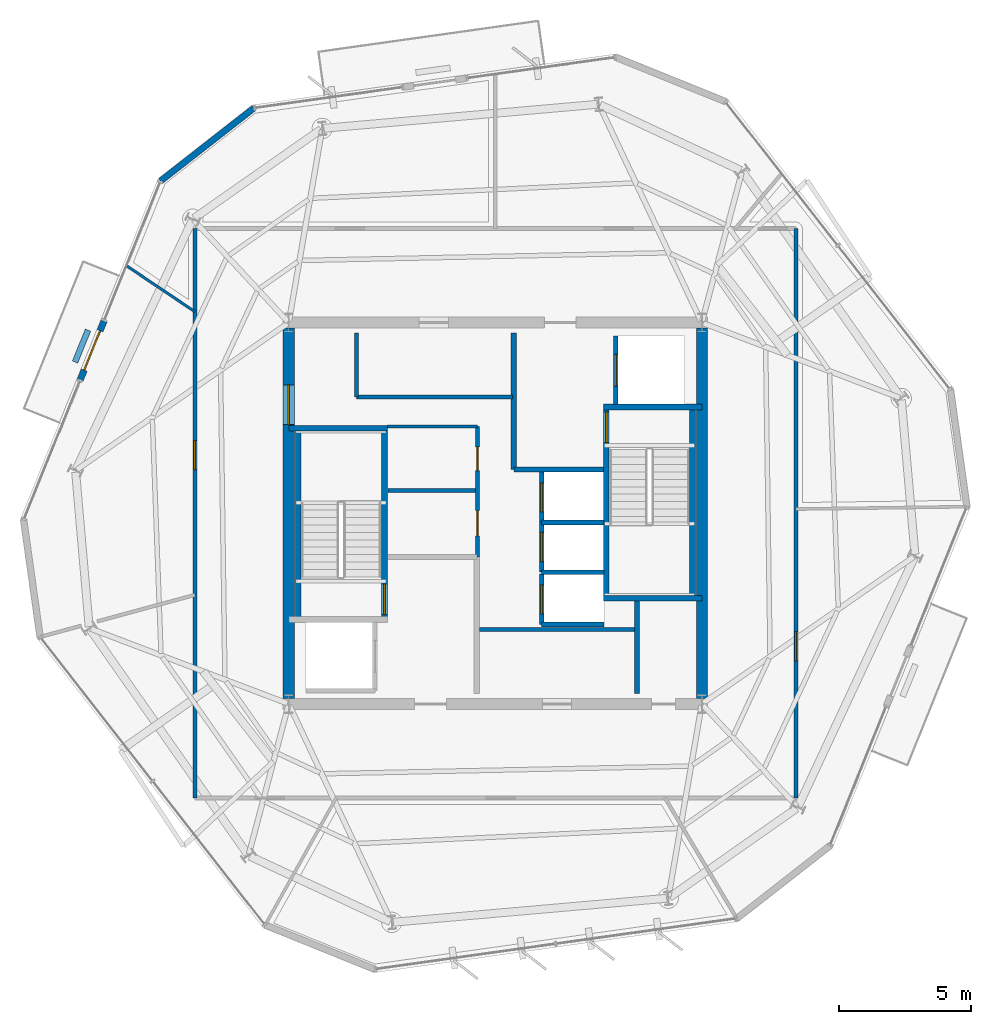
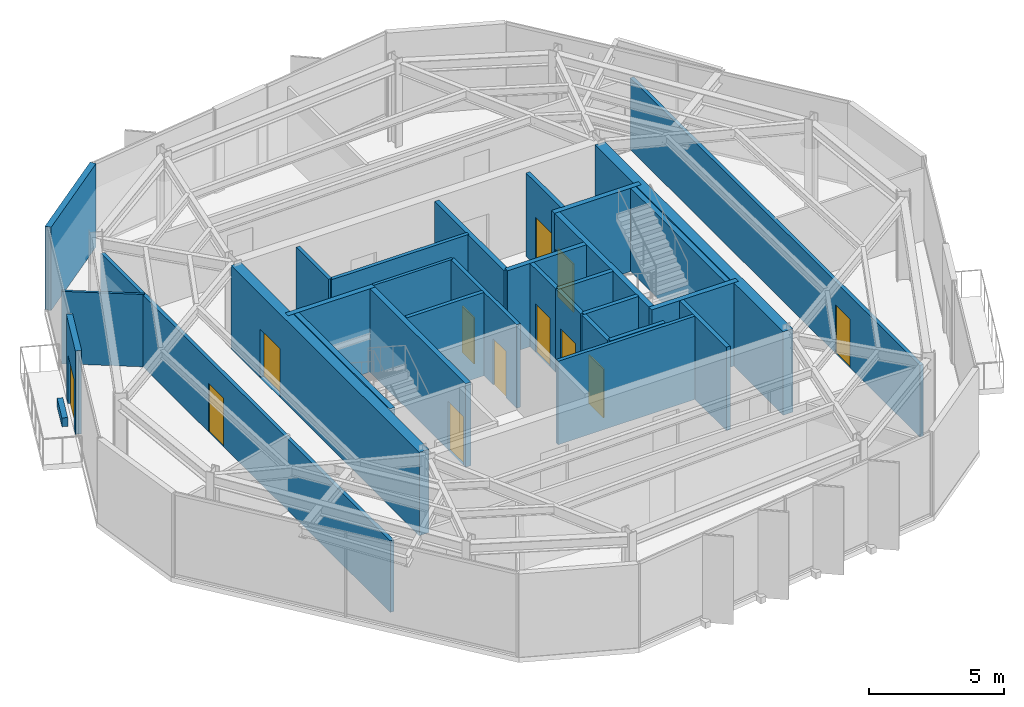
# One storey, part 7 of 11: 31 walls, 12 doors, 12 openings.
"""IFC4 building model written with IfcOpenShell, lengths in metres."""

from ifc_helpers import new_model, si_unit, direction, frame, frame_2d, origin, place, context, subcontext, project, spatial, rectangle, extrude, material, layer, layer_set, type_object, element, fill, save


model = new_model("IFC4")

# Units and contexts
model_context = context("Model", 3, precision=1e-05, world=origin(), true_north=direction((0.0, 1.0)))
body_context = subcontext(model_context, "Body", "Model", "MODEL_VIEW")
ifc_project = project(units=[si_unit("LENGTHUNIT", "METRE"), si_unit("AREAUNIT", "SQUARE_METRE"), si_unit("VOLUMEUNIT", "CUBIC_METRE"), si_unit("PLANEANGLEUNIT", "RADIAN"), si_unit("MASSUNIT", "GRAM", prefix="KILO")], contexts=[model_context])

# Site, building, storey
site_placement = place(None, origin())
site = spatial("IfcSite", under=ifc_project, at=site_placement, CompositionType="ELEMENT")
building_placement = place(site_placement, origin())
building = spatial("IfcBuilding", under=site, at=building_placement, Name="Kranzbogen Civic Tower", CompositionType="ELEMENT")
storey_placement = place(building_placement, frame((0.0, 0.0, 298.199951171875)))
storey = spatial("IfcBuildingStorey", under=building, at=storey_placement, Name="L72", CompositionType="ELEMENT", Elevation=298.199951171875)

# Walls
ifc_material_1 = material(Name="Double-Stud Acoustic Gypsum Partition")
ifc_layer_1 = layer(ifc_material_1, 0.14990234375, Name="Double-Stud Acoustic Gypsum Partition")
ifc_layer_set_1 = layer_set([ifc_layer_1], Name="Double-Stud Acoustic Gypsum Partition")
wall_type_1 = type_object("IfcWallType", Name="Acoustic Corridor and Clinical Partition 150 mm", PredefinedType="PARTITIONING", material=ifc_layer_set_1)
wall_1_placement = place(storey_placement, frame((24.39990234375, 20.610107421875, 0.0), z_axis=(0.0, 0.0, 1.0), x_axis=(1.0, 0.0, 0.0)))
element("IfcWall", 1, at=wall_1_placement, inside=storey, type_object=wall_type_1, Name="L72 records zone North wall", PredefinedType="PARTITIONING", context=body_context, shape_type="SweptSolid", body=[
    extrude(rectangle(XDim=5.900146484375, YDim=0.14990234375, at=frame_2d((2.9501953125, 0.0))), origin(), (0.0, 0.0, 1.0), 3.780029296875),
])
wall_2_placement = place(storey_placement, frame((19.75, 29.389892578125, 0.0), z_axis=(0.0, 0.0, 1.0), x_axis=(1.0, 0.0, 0.0)))
element("IfcWall", 2, at=wall_2_placement, inside=storey, type_object=wall_type_1, Name="L72 digital comms South wall", PredefinedType="PARTITIONING", context=body_context, shape_type="SweptSolid", body=[
    extrude(rectangle(XDim=5.89990234375, YDim=0.14990234375, at=frame_2d((2.949951171875, 0.0))), origin(), (0.0, 0.0, 1.0), 3.780029296875),
])
wall_3_placement = place(storey_placement, frame((19.75, 29.389892578125, 0.0), z_axis=(0.0, 0.0, 1.0), x_axis=(0.0, 1.0, 0.0)))
element("IfcWall", 3, at=wall_3_placement, inside=storey, type_object=wall_type_1, Name="L72 digital comms West wall", PredefinedType="PARTITIONING", context=body_context, shape_type="SweptSolid", body=[
    extrude(rectangle(XDim=2.41015625, YDim=0.14990234375, at=frame_2d((1.205078125, 0.0))), origin(), (0.0, 0.0, 1.0), 3.780029296875),
])

# Wall, opening, door
wall_4_placement = place(storey_placement, frame((36.35009765625, 35.75, 0.0), z_axis=(0.0, 0.0, 1.0), x_axis=(0.0, -1.0, 0.0)))
wall_4 = element("IfcWall", 4, at=wall_4_placement, inside=storey, type_object=wall_type_1, Name="L72 corridor partition 02", PredefinedType="PARTITIONING", context=body_context, shape_type="SweptSolid", body=[
    extrude(rectangle(XDim=21.5, YDim=0.14990234375, at=frame_2d((10.75, 0.0))), origin(), (0.0, 0.0, 1.0), 3.25),
])
opening_1_placement = place(wall_4_placement, frame((15.221923828125, 0.0, 0.0)))
opening_1 = element("IfcOpeningElement", 5, at=opening_1_placement, cuts=wall_4, Name="Opening D-COR60", PredefinedType="OPENING", context=body_context, shape_type="SweptSolid", body=[
    extrude(rectangle(XDim=1.10009765625, YDim=2.199951171875, at=frame_2d((0.550048828125, 1.10009765625))), frame((0.0, 0.0849609375, 0.0), z_axis=(0.0, -1.0, 0.0), x_axis=(1.0, 0.0, 0.0)), (0.0, 0.0, 1.0), 0.169921875),
])
ifc_material_2 = material(Name="Oak Timber and Fire Core", Category="wood")
door_type_1 = type_object("IfcDoorType", Name="Corridor Acoustic Fire Door 1100x2200", OperationType="NOTDEFINED", PredefinedType="DOOR", material=ifc_material_2)
door_1_placement = place(opening_1_placement, origin())
door_1 = element("IfcDoor", 6, at=door_1_placement, inside=storey, type_object=door_type_1, Name="L72 Protocol Entrance Reception door", OperationType="SINGLE_SWING_RIGHT", OverallHeight=2.199951171875, OverallWidth=1.10009765625, PredefinedType="DOOR", context=body_context, shape_type="SweptSolid", body=[
    extrude(rectangle(XDim=1.10009765625, YDim=2.199951171875, at=frame_2d((0.550048828125, 1.10009765625))), frame((0.0, 0.02490234375, 0.0), z_axis=(0.0, -1.0, 0.0), x_axis=(1.0, 0.0, 0.0)), (0.0, 0.0, 1.0), 0.050048828125),
])
fill(opening_1, door_1)

wall_5_placement = place(storey_placement, frame((13.64990234375, 14.25, 0.0), z_axis=(0.0, 0.0, 1.0), x_axis=(0.0, 1.0, 0.0)))
wall_5 = element("IfcWall", 7, at=wall_5_placement, inside=storey, type_object=wall_type_1, Name="L72 corridor partition 04", PredefinedType="PARTITIONING", context=body_context, shape_type="SweptSolid", body=[
    extrude(rectangle(XDim=21.5, YDim=0.14990234375, at=frame_2d((10.75, 0.0))), origin(), (0.0, 0.0, 1.0), 3.25),
])
opening_2_placement = place(wall_5_placement, frame((12.39697265625, 0.0, 0.0)))
opening_2 = element("IfcOpeningElement", 8, at=opening_2_placement, cuts=wall_5, Name="Opening D-COR60", PredefinedType="OPENING", context=body_context, shape_type="SweptSolid", body=[
    extrude(rectangle(XDim=1.10009765625, YDim=2.199951171875, at=frame_2d((0.550048828125, 1.10009765625))), frame((0.0, 0.0849609375, 0.0), z_axis=(0.0, -1.0, 0.0), x_axis=(1.0, 0.0, 0.0)), (0.0, 0.0, 1.0), 0.169921875),
])
door_2_placement = place(opening_2_placement, origin())
door_2 = element("IfcDoor", 9, at=door_2_placement, inside=storey, type_object=door_type_1, Name="L72 Civic Reference Library door", OperationType="SINGLE_SWING_RIGHT", OverallHeight=2.199951171875, OverallWidth=1.10009765625, PredefinedType="DOOR", context=body_context, shape_type="SweptSolid", body=[
    extrude(rectangle(XDim=1.10009765625, YDim=2.199951171875, at=frame_2d((0.550048828125, 1.10009765625))), frame((0.0, 0.02490234375, 0.0), z_axis=(0.0, -1.0, 0.0), x_axis=(1.0, 0.0, 0.0)), (0.0, 0.0, 1.0), 0.050048828125),
])
fill(opening_2, door_2)

# Walls
ifc_material_3 = material(Name="Insulated Metal-Stud Gypsum Partition")
ifc_layer_2 = layer(ifc_material_3, 0.125, Name="Insulated Metal-Stud Gypsum Partition")
ifc_layer_set_2 = layer_set([ifc_layer_2], Name="Insulated Metal-Stud Gypsum Partition")
wall_type_2 = type_object("IfcWallType", Name="Acoustic Inter-Room Partition 125 mm", PredefinedType="PARTITIONING", material=ifc_layer_set_2)
wall_6_placement = place(storey_placement, frame((20.919921875, 28.280029296875, 0.0), z_axis=(0.0, 0.0, 1.0), x_axis=(1.0, 0.0, 0.0)))
element("IfcWall", 10, at=wall_6_placement, inside=storey, type_object=wall_type_2, Name="L72 core auxiliary North wall", PredefinedType="PARTITIONING", context=body_context, shape_type="SweptSolid", body=[
    extrude(rectangle(XDim=3.405029296875, YDim=0.125, at=frame_2d((1.70263671875, 0.0))), origin(), (0.0, 0.0, 1.0), 3.780029296875),
])
ifc_material_4 = material(Name="Architectural Precast Terracotta Concrete C40/50", Category="masonry")
ifc_layer_3 = layer(ifc_material_4, 0.219970703125, Name="Architectural Precast Terracotta Concrete C40/50")
ifc_layer_set_3 = layer_set([ifc_layer_3], Name="Architectural Precast Terracotta Concrete C40/50")
wall_type_3 = type_object("IfcWallType", Name="Architectural Tree Planter Kerb Wall 220 mm", PredefinedType="USERDEFINED", material=ifc_layer_set_3)
wall_7_placement = place(storey_placement, frame((9.616943359375, 31.9169921875, 0.0), z_axis=(0.0, 0.0, 1.0), x_axis=(-0.375108300877, -0.926980993663, 0.0)))
element("IfcWall", 11, at=wall_7_placement, inside=storey, type_object=wall_type_3, Name="L72 landscaped tree balcony planter L72-TB2", ObjectType="PLANTER_WALL", PredefinedType="USERDEFINED", context=body_context, shape_type="SweptSolid", body=[
    extrude(rectangle(XDim=1.301025390625, YDim=0.219970703125, at=frame_2d((0.650390625, 0.0))), origin(), (0.0, 0.0, 1.0), 0.400146484375),
])

# Wall, opening, door
ifc_material_5 = material(Name="Concrete C45/55", Category="concrete")
ifc_layer_4 = layer(ifc_material_5, 0.419921875, Name="Concrete C45/55")
ifc_layer_set_4 = layer_set([ifc_layer_4], Name="Concrete C45/55")
wall_type_4 = type_object("IfcWallType", Name="Central Core Shear Wall 420 mm", PredefinedType="SHEAR", material=ifc_layer_set_4)
wall_8_placement = place(storey_placement, frame((17.199951171875, 31.989990234375, 0.0), z_axis=(0.0, 0.0, 1.0), x_axis=(0.0, -1.0, 0.0)))
wall_8 = element("IfcWall", 12, at=wall_8_placement, inside=storey, type_object=wall_type_4, Name="L72 central core West shear wall", PredefinedType="SHEAR", context=body_context, shape_type="SweptSolid", body=[
    extrude(rectangle(XDim=13.97998046875, YDim=0.419921875, at=frame_2d((6.989990234375, 0.0))), origin(), (0.0, 0.0, 1.0), 3.780029296875),
])
opening_3_placement = place(wall_8_placement, frame((2.139892578125, 0.0, 0.0)))
opening_3 = element("IfcOpeningElement", 13, at=opening_3_placement, cuts=wall_8, Name="Opening D-DBL15", PredefinedType="OPENING", context=body_context, shape_type="SweptSolid", body=[
    extrude(rectangle(XDim=1.5, YDim=2.199951171875, at=frame_2d((0.75, 1.10009765625))), frame((0.0, 0.219970703125, 0.0), z_axis=(0.0, -1.0, 0.0), x_axis=(1.0, 0.0, 0.0)), (0.0, 0.0, 1.0), 0.43994140625),
])
ifc_material_6 = material(Name="Anodised Bronze and Glass", Category="glass")
door_type_2 = type_object("IfcDoorType", Name="Civic Lobby Double Door 1500x2200", OperationType="DOUBLE_DOOR_SINGLE_SWING", PredefinedType="DOOR", material=ifc_material_6)
door_3_placement = place(opening_3_placement, origin())
door_3 = element("IfcDoor", 14, at=door_3_placement, inside=storey, type_object=door_type_2, Name="L72 Central Lift Lobby West concourse door", OperationType="DOUBLE_DOOR_SINGLE_SWING", OverallHeight=2.199951171875, OverallWidth=1.5, PredefinedType="DOOR", context=body_context, shape_type="SweptSolid", body=[
    extrude(rectangle(XDim=1.5, YDim=2.199951171875, at=frame_2d((0.75, 1.10009765625))), frame((0.0, 0.02490234375, 0.0), z_axis=(0.0, -1.0, 0.0), x_axis=(1.0, 0.0, 0.0)), (0.0, 0.0, 1.0), 0.050048828125),
])
fill(opening_3, door_3)

# Wall
wall_9_placement = place(storey_placement, frame((32.800048828125, 18.010009765625, 0.0), z_axis=(0.0, 0.0, 1.0), x_axis=(0.0, 1.0, 0.0)))
element("IfcWall", 15, at=wall_9_placement, inside=storey, type_object=wall_type_4, Name="L72 central core East shear wall", PredefinedType="SHEAR", context=body_context, shape_type="SweptSolid", body=[
    extrude(rectangle(XDim=13.97998046875, YDim=0.419921875, at=frame_2d((6.989990234375, 0.0))), origin(), (0.0, 0.0, 1.0), 3.780029296875),
])

# Wall, opening, door
ifc_layer_5 = layer(ifc_material_5, 0.219970703125, Name="Concrete C45/55")
ifc_layer_set_5 = layer_set([ifc_layer_5], Name="Concrete C45/55")
wall_type_5 = type_object("IfcWallType", Name="Core Internal Stair Structural Wall 220 mm", PredefinedType="SOLIDWALL", material=ifc_layer_set_5)
wall_10_placement = place(storey_placement, frame((20.81005859375, 20.989990234375, 0.0), z_axis=(0.0, 0.0, 1.0), x_axis=(0.0, 1.0, 0.0)))
wall_10 = element("IfcWall", 16, at=wall_10_placement, inside=storey, type_object=wall_type_5, Name="L72 ST-T1 East structural stair wall", PredefinedType="SOLIDWALL", context=body_context, shape_type="SweptSolid", body=[
    extrude(rectangle(XDim=7.219970703125, YDim=0.219970703125, at=frame_2d((3.60986328125, 0.0))), origin(), (0.0, 0.0, 1.0), 3.780029296875),
])
opening_4_placement = place(wall_10_placement, frame((0.179931640625, 0.0, 0.0)))
opening_4 = element("IfcOpeningElement", 17, at=opening_4_placement, cuts=wall_10, Name="Opening D-ST90", PredefinedType="OPENING", context=body_context, shape_type="SweptSolid", body=[
    extrude(rectangle(XDim=1.14990234375, YDim=2.199951171875, at=frame_2d((0.574951171875, 1.10009765625))), frame((0.0, 0.1201171875, 0.0), z_axis=(0.0, -1.0, 0.0), x_axis=(1.0, 0.0, 0.0)), (0.0, 0.0, 1.0), 0.239990234375),
])
ifc_material_7 = material(Name="Steel S355", Category="steel")
door_type_3 = type_object("IfcDoorType", Name="Pressurized Stair and Lobby Fire Door 1150x2200", OperationType="NOTDEFINED", PredefinedType="DOOR", material=ifc_material_7)
door_4_placement = place(opening_4_placement, origin())
door_4 = element("IfcDoor", 18, at=door_4_placement, inside=storey, type_object=door_type_3, Name="L72 Stair ST-T1 fire door", OperationType="SINGLE_SWING_LEFT", OverallHeight=2.199951171875, OverallWidth=1.14990234375, PredefinedType="DOOR", context=body_context, shape_type="SweptSolid", body=[
    extrude(rectangle(XDim=1.14990234375, YDim=2.199951171875, at=frame_2d((0.574951171875, 1.10009765625))), frame((0.0, 0.02490234375, 0.0), z_axis=(0.0, -1.0, 0.0), x_axis=(1.0, 0.0, 0.0)), (0.0, 0.0, 1.0), 0.050048828125),
])
fill(opening_4, door_4)

# Walls
wall_11_placement = place(storey_placement, frame((17.199951171875, 28.2099609375, 0.0), z_axis=(0.0, 0.0, 1.0), x_axis=(1.0, 0.0, 0.0)))
element("IfcWall", 19, at=wall_11_placement, inside=storey, type_object=wall_type_5, Name="L72 ST-T1 North structural stair wall", PredefinedType="SOLIDWALL", context=body_context, shape_type="SweptSolid", body=[
    extrude(rectangle(XDim=3.719970703125, YDim=0.219970703125, at=frame_2d((1.85986328125, 0.0))), origin(), (0.0, 0.0, 1.0), 3.780029296875),
])
wall_12_placement = place(storey_placement, frame((17.554931640625, 28.2099609375, 0.0), z_axis=(0.0, 0.0, 1.0), x_axis=(0.0, -1.0, 0.0)))
element("IfcWall", 20, at=wall_12_placement, inside=storey, type_object=wall_type_5, Name="L72 ST-T1 West structural stair wall", PredefinedType="SOLIDWALL", context=body_context, shape_type="SweptSolid", body=[
    extrude(rectangle(XDim=7.219970703125, YDim=0.219970703125, at=frame_2d((3.60986328125, 0.0))), origin(), (0.0, 0.0, 1.0), 3.780029296875),
])

# Wall, opening, door
wall_13_placement = place(storey_placement, frame((29.18994140625, 21.7900390625, 0.0), z_axis=(0.0, 0.0, 1.0), x_axis=(0.0, 1.0, 0.0)))
wall_13 = element("IfcWall", 21, at=wall_13_placement, inside=storey, type_object=wall_type_5, Name="L72 ST-T2 West structural stair wall", PredefinedType="SOLIDWALL", context=body_context, shape_type="SweptSolid", body=[
    extrude(rectangle(XDim=7.219970703125, YDim=0.219970703125, at=frame_2d((3.60986328125, 0.0))), origin(), (0.0, 0.0, 1.0), 3.780029296875),
])
opening_5_placement = place(wall_13_placement, frame((5.8798828125, 0.0, 0.0)))
opening_5 = element("IfcOpeningElement", 22, at=opening_5_placement, cuts=wall_13, Name="Opening D-ST90", PredefinedType="OPENING", context=body_context, shape_type="SweptSolid", body=[
    extrude(rectangle(XDim=1.14990234375, YDim=2.199951171875, at=frame_2d((0.574951171875, 1.10009765625))), frame((0.0, 0.1201171875, 0.0), z_axis=(0.0, -1.0, 0.0), x_axis=(1.0, 0.0, 0.0)), (0.0, 0.0, 1.0), 0.239990234375),
])
door_5_placement = place(opening_5_placement, origin())
door_5 = element("IfcDoor", 23, at=door_5_placement, inside=storey, type_object=door_type_3, Name="L72 Stair ST-T2 fire door", OperationType="SINGLE_SWING_RIGHT", OverallHeight=2.199951171875, OverallWidth=1.14990234375, PredefinedType="DOOR", context=body_context, shape_type="SweptSolid", body=[
    extrude(rectangle(XDim=1.14990234375, YDim=2.199951171875, at=frame_2d((0.574951171875, 1.10009765625))), frame((0.0, 0.02490234375, 0.0), z_axis=(0.0, -1.0, 0.0), x_axis=(1.0, 0.0, 0.0)), (0.0, 0.0, 1.0), 0.050048828125),
])
fill(opening_5, door_5)

# Walls
for number, where, z_axis, x_axis, name in (
    (24, (29.080078125, 21.7900390625, 0.0), (0.0, 0.0, 1.0), (1.0, 0.0, 0.0), "L72 ST-T2 South structural stair wall"),
    (25, (29.080078125, 29.010009765625, 0.0), (0.0, 0.0, 1.0), (1.0, 0.0, 0.0), "L72 ST-T2 North structural stair wall"),
):
    element("IfcWall", number, at=place(storey_placement, frame(where, z_axis=z_axis, x_axis=x_axis)), inside=storey, type_object=wall_type_5, Name=name, PredefinedType="SOLIDWALL", context=body_context, shape_type="SweptSolid", body=[
        extrude(rectangle(XDim=3.719970703125, YDim=0.219970703125, at=frame_2d((1.85986328125, 0.0))), origin(), (0.0, 0.0, 1.0), 3.780029296875),
    ])
wall_14_placement = place(storey_placement, frame((32.445068359375, 29.010009765625, 0.0), z_axis=(0.0, 0.0, 1.0), x_axis=(0.0, -1.0, 0.0)))
element("IfcWall", 26, at=wall_14_placement, inside=storey, type_object=wall_type_5, Name="L72 ST-T2 East structural stair wall", PredefinedType="SOLIDWALL", context=body_context, shape_type="SweptSolid", body=[
    extrude(rectangle(XDim=7.219970703125, YDim=0.219970703125, at=frame_2d((3.60986328125, 0.0))), origin(), (0.0, 0.0, 1.0), 3.780029296875),
])
ifc_material_8 = material(Name="Demountable Aluminium and Gypsum Partition", Category="aluminium")
ifc_layer_6 = layer(ifc_material_8, 0.10009765625, Name="Demountable Aluminium and Gypsum Partition")
ifc_layer_set_6 = layer_set([ifc_layer_6], Name="Demountable Aluminium and Gypsum Partition")
wall_type_6 = type_object("IfcWallType", Name="Demountable Office Partition 100 mm", PredefinedType="MOVABLE", material=ifc_layer_set_6)
wall_15_placement = place(storey_placement, frame((13.64990234375, 32.617919921875, 0.0), z_axis=(0.0, 0.0, 1.0), x_axis=(-0.830322330951, 0.55728343482, 0.0)))
element("IfcWall", 27, at=wall_15_placement, inside=storey, type_object=wall_type_6, Name="L72 radial room partition 02", PredefinedType="MOVABLE", context=body_context, shape_type="SweptSolid", body=[
    extrude(rectangle(XDim=3.09375, YDim=0.10009765625, at=frame_2d((1.546875, 0.0))), origin(), (0.0, 0.0, 1.0), 3.280029296875),
])
ifc_material_9 = material(Name="Gypsum Fireboard and Concrete Block", Category="concrete")
ifc_layer_7 = layer(ifc_material_9, 0.199951171875, Name="Gypsum Fireboard and Concrete Block")
ifc_layer_set_7 = layer_set([ifc_layer_7], Name="Gypsum Fireboard and Concrete Block")
wall_type_7 = type_object("IfcWallType", Name="Fire-Rated Exit Passageway and Stair Wall 200 mm", PredefinedType="PARTITIONING", material=ifc_layer_set_7)
wall_16_placement = place(storey_placement, frame((25.699951171875, 26.64990234375, 0.0), z_axis=(0.0, 0.0, 1.0), x_axis=(0.0, 1.0, 0.0)))
element("IfcWall", 28, at=wall_16_placement, inside=storey, type_object=wall_type_7, Name="L72 East firefighting lobby West wall", PredefinedType="PARTITIONING", context=body_context, shape_type="SweptSolid", body=[
    extrude(rectangle(XDim=5.150146484375, YDim=0.199951171875, at=frame_2d((2.5751953125, 0.0))), origin(), (0.0, 0.0, 1.0), 3.780029296875),
])
wall_17_placement = place(storey_placement, frame((25.699951171875, 26.64990234375, 0.0), z_axis=(0.0, 0.0, 1.0), x_axis=(1.0, 0.0, 0.0)))
element("IfcWall", 29, at=wall_17_placement, inside=storey, type_object=wall_type_7, Name="L72 East firefighting lobby South wall", PredefinedType="PARTITIONING", context=body_context, shape_type="SweptSolid", body=[
    extrude(rectangle(XDim=3.380126953125, YDim=0.199951171875, at=frame_2d((1.68994140625, 0.0))), origin(), (0.0, 0.0, 1.0), 3.780029296875),
])
ifc_material_10 = material(Name="Gypsum Fireboard Shaftliner")
ifc_layer_8 = layer(ifc_material_10, 0.175048828125, Name="Gypsum Fireboard Shaftliner")
ifc_layer_set_8 = layer_set([ifc_layer_8], Name="Gypsum Fireboard Shaftliner")
wall_type_8 = type_object("IfcWallType", Name="Fire-Rated Lift and Service Shaft Wall 175 mm", PredefinedType="PARTITIONING", material=ifc_layer_set_8)
wall_18_placement = place(storey_placement, frame((30.35009765625, 18.199951171875, 0.0), z_axis=(0.0, 0.0, 1.0), x_axis=(0.0, 1.0, 0.0)))
element("IfcWall", 30, at=wall_18_placement, inside=storey, type_object=wall_type_8, Name="L72 East core riser West wall", PredefinedType="PARTITIONING", context=body_context, shape_type="SweptSolid", body=[
    extrude(rectangle(XDim=3.47998046875, YDim=0.175048828125, at=frame_2d((1.739990234375, 0.0))), origin(), (0.0, 0.0, 1.0), 3.780029296875),
])

# Wall, opening, door
wall_19_placement = place(storey_placement, frame((26.75, 20.800048828125, 0.0), z_axis=(0.0, 0.0, 1.0), x_axis=(0.0, 1.0, 0.0)))
wall_19 = element("IfcWall", 31, at=wall_19_placement, inside=storey, type_object=wall_type_8, Name="L72 lift HP-01 landing wall", PredefinedType="PARTITIONING", context=body_context, shape_type="SweptSolid", body=[
    extrude(rectangle(XDim=1.89990234375, YDim=0.175048828125, at=frame_2d((0.949951171875, 0.0))), origin(), (0.0, 0.0, 1.0), 3.780029296875),
])
opening_6_placement = place(wall_19_placement, frame((0.39990234375, 0.0, 0.0)))
opening_6 = element("IfcOpeningElement", 32, at=opening_6_placement, cuts=wall_19, Name="Opening LD-HP-01", PredefinedType="OPENING", context=body_context, shape_type="SweptSolid", body=[
    extrude(rectangle(XDim=1.10009765625, YDim=2.199951171875, at=frame_2d((0.550048828125, 1.10009765625))), frame((0.0, 0.09765625, 0.0), z_axis=(0.0, -1.0, 0.0), x_axis=(1.0, 0.0, 0.0)), (0.0, 0.0, 1.0), 0.195068359375),
])
ifc_material_11 = material(Name="Pale Anodised Aluminium", Category="aluminium")
door_type_4 = type_object("IfcDoorType", Name="Passenger Lift Sliding Landing Door 1100x2200", OperationType="DOUBLE_DOOR_SLIDING", PredefinedType="DOOR", material=ifc_material_11)
door_6_placement = place(opening_6_placement, origin())
door_6 = element("IfcDoor", 33, at=door_6_placement, inside=storey, type_object=door_type_4, Name="L72 lift HP-01 sliding landing door", OperationType="DOUBLE_DOOR_SLIDING", OverallHeight=2.199951171875, OverallWidth=1.10009765625, PredefinedType="DOOR", context=body_context, shape_type="SweptSolid", body=[
    extrude(rectangle(XDim=1.10009765625, YDim=2.199951171875, at=frame_2d((0.550048828125, 1.10009765625))), frame((0.0, 0.02490234375, 0.0), z_axis=(0.0, -1.0, 0.0), x_axis=(1.0, 0.0, 0.0)), (0.0, 0.0, 1.0), 0.050048828125),
])
fill(opening_6, door_6)

# Wall
wall_20_placement = place(storey_placement, frame((26.75, 20.800048828125, 0.0), z_axis=(0.0, 0.0, 1.0), x_axis=(1.0, 0.0, 0.0)))
element("IfcWall", 34, at=wall_20_placement, inside=storey, type_object=wall_type_8, Name="L72 lift HP-01 side wall", PredefinedType="PARTITIONING", context=body_context, shape_type="SweptSolid", body=[
    extrude(rectangle(XDim=2.35009765625, YDim=0.175048828125, at=frame_2d((1.175048828125, 0.0))), origin(), (0.0, 0.0, 1.0), 3.780029296875),
])

# Wall, opening, door
wall_21_placement = place(storey_placement, frame((26.75, 22.77490234375, 0.0), z_axis=(0.0, 0.0, 1.0), x_axis=(0.0, 1.0, 0.0)))
wall_21 = element("IfcWall", 35, at=wall_21_placement, inside=storey, type_object=wall_type_8, Name="L72 lift HP-02 landing wall", PredefinedType="PARTITIONING", context=body_context, shape_type="SweptSolid", body=[
    extrude(rectangle(XDim=1.900146484375, YDim=0.175048828125, at=frame_2d((0.9501953125, 0.0))), origin(), (0.0, 0.0, 1.0), 3.780029296875),
])
opening_7_placement = place(wall_21_placement, frame((0.39990234375, 0.0, 0.0)))
opening_7 = element("IfcOpeningElement", 36, at=opening_7_placement, cuts=wall_21, Name="Opening LD-HP-02", PredefinedType="OPENING", context=body_context, shape_type="SweptSolid", body=[
    extrude(rectangle(XDim=1.10009765625, YDim=2.199951171875, at=frame_2d((0.550048828125, 1.10009765625))), frame((0.0, 0.09765625, 0.0), z_axis=(0.0, -1.0, 0.0), x_axis=(1.0, 0.0, 0.0)), (0.0, 0.0, 1.0), 0.195068359375),
])
door_7_placement = place(opening_7_placement, origin())
door_7 = element("IfcDoor", 37, at=door_7_placement, inside=storey, type_object=door_type_4, Name="L72 lift HP-02 sliding landing door", OperationType="DOUBLE_DOOR_SLIDING", OverallHeight=2.199951171875, OverallWidth=1.10009765625, PredefinedType="DOOR", context=body_context, shape_type="SweptSolid", body=[
    extrude(rectangle(XDim=1.10009765625, YDim=2.199951171875, at=frame_2d((0.550048828125, 1.10009765625))), frame((0.0, 0.02490234375, 0.0), z_axis=(0.0, -1.0, 0.0), x_axis=(1.0, 0.0, 0.0)), (0.0, 0.0, 1.0), 0.050048828125),
])
fill(opening_7, door_7)

# Wall
wall_22_placement = place(storey_placement, frame((26.75, 22.77490234375, 0.0), z_axis=(0.0, 0.0, 1.0), x_axis=(1.0, 0.0, 0.0)))
element("IfcWall", 38, at=wall_22_placement, inside=storey, type_object=wall_type_8, Name="L72 lift HP-02 side wall", PredefinedType="PARTITIONING", context=body_context, shape_type="SweptSolid", body=[
    extrude(rectangle(XDim=2.35009765625, YDim=0.175048828125, at=frame_2d((1.175048828125, 0.0))), origin(), (0.0, 0.0, 1.0), 3.780029296875),
])

# Wall, opening, door
wall_23_placement = place(storey_placement, frame((26.75, 24.64990234375, 0.0), z_axis=(0.0, 0.0, 1.0), x_axis=(0.0, 1.0, 0.0)))
wall_23 = element("IfcWall", 39, at=wall_23_placement, inside=storey, type_object=wall_type_8, Name="L72 lift HP-03 landing wall", PredefinedType="PARTITIONING", context=body_context, shape_type="SweptSolid", body=[
    extrude(rectangle(XDim=1.900146484375, YDim=0.175048828125, at=frame_2d((0.9501953125, 0.0))), origin(), (0.0, 0.0, 1.0), 3.780029296875),
])
opening_8_placement = place(wall_23_placement, frame((0.39990234375, 0.0, 0.0)))
opening_8 = element("IfcOpeningElement", 40, at=opening_8_placement, cuts=wall_23, Name="Opening LD-HP-03", PredefinedType="OPENING", context=body_context, shape_type="SweptSolid", body=[
    extrude(rectangle(XDim=1.10009765625, YDim=2.199951171875, at=frame_2d((0.550048828125, 1.10009765625))), frame((0.0, 0.09765625, 0.0), z_axis=(0.0, -1.0, 0.0), x_axis=(1.0, 0.0, 0.0)), (0.0, 0.0, 1.0), 0.195068359375),
])
door_8_placement = place(opening_8_placement, origin())
door_8 = element("IfcDoor", 41, at=door_8_placement, inside=storey, type_object=door_type_4, Name="L72 lift HP-03 sliding landing door", OperationType="DOUBLE_DOOR_SLIDING", OverallHeight=2.199951171875, OverallWidth=1.10009765625, PredefinedType="DOOR", context=body_context, shape_type="SweptSolid", body=[
    extrude(rectangle(XDim=1.10009765625, YDim=2.199951171875, at=frame_2d((0.550048828125, 1.10009765625))), frame((0.0, 0.02490234375, 0.0), z_axis=(0.0, -1.0, 0.0), x_axis=(1.0, 0.0, 0.0)), (0.0, 0.0, 1.0), 0.050048828125),
])
fill(opening_8, door_8)

# Wall
wall_24_placement = place(storey_placement, frame((26.75, 24.64990234375, 0.0), z_axis=(0.0, 0.0, 1.0), x_axis=(1.0, 0.0, 0.0)))
element("IfcWall", 42, at=wall_24_placement, inside=storey, type_object=wall_type_8, Name="L72 lift HP-03 side wall", PredefinedType="PARTITIONING", context=body_context, shape_type="SweptSolid", body=[
    extrude(rectangle(XDim=2.35009765625, YDim=0.175048828125, at=frame_2d((1.175048828125, 0.0))), origin(), (0.0, 0.0, 1.0), 3.780029296875),
])

# Wall, opening, door
wall_25_placement = place(storey_placement, frame((29.550048828125, 29.10009765625, 0.0), z_axis=(0.0, 0.0, 1.0), x_axis=(0.0, 1.0, 0.0)))
wall_25 = element("IfcWall", 43, at=wall_25_placement, inside=storey, type_object=wall_type_8, Name="L72 lift FF-02 landing wall", PredefinedType="PARTITIONING", context=body_context, shape_type="SweptSolid", body=[
    extrude(rectangle(XDim=2.599853515625, YDim=0.175048828125, at=frame_2d((1.2998046875, 0.0))), origin(), (0.0, 0.0, 1.0), 3.780029296875),
])
opening_9_placement = place(wall_25_placement, frame((0.699951171875, 0.0, 0.0)))
opening_9 = element("IfcOpeningElement", 44, at=opening_9_placement, cuts=wall_25, Name="Opening LD-FF-02", PredefinedType="OPENING", context=body_context, shape_type="SweptSolid", body=[
    extrude(rectangle(XDim=1.199951171875, YDim=2.199951171875, at=frame_2d((0.60009765625, 1.10009765625))), frame((0.0, 0.09765625, 0.0), z_axis=(0.0, -1.0, 0.0), x_axis=(1.0, 0.0, 0.0)), (0.0, 0.0, 1.0), 0.195068359375),
])
door_type_5 = type_object("IfcDoorType", Name="Firefighting and Stretcher Lift Sliding Landing Door 1200x2200", OperationType="DOUBLE_DOOR_SLIDING", PredefinedType="DOOR", material=ifc_material_11)
door_9_placement = place(opening_9_placement, origin())
door_9 = element("IfcDoor", 45, at=door_9_placement, inside=storey, type_object=door_type_5, Name="L72 lift FF-02 sliding landing door", OperationType="DOUBLE_DOOR_SLIDING", OverallHeight=2.199951171875, OverallWidth=1.199951171875, PredefinedType="DOOR", context=body_context, shape_type="SweptSolid", body=[
    extrude(rectangle(XDim=1.199951171875, YDim=2.199951171875, at=frame_2d((0.60009765625, 1.10009765625))), frame((0.0, 0.02490234375, 0.0), z_axis=(0.0, -1.0, 0.0), x_axis=(1.0, 0.0, 0.0)), (0.0, 0.0, 1.0), 0.050048828125),
])
fill(opening_9, door_9)

# Wall
ifc_layer_9 = layer(ifc_material_11, 0.239990234375, Name="Pale Anodised Aluminium")
ifc_layer_set_9 = layer_set([ifc_layer_9], Name="Pale Anodised Aluminium")
wall_type_9 = type_object("IfcWallType", Name="Insulated Aluminium Facade Portal Wall 240 mm", PredefinedType="STANDARD", material=ifc_layer_set_9)
wall_26_placement = place(storey_placement, frame((15.87890625, 40.301025390625, 0.0), z_axis=(0.0, 0.0, 1.0), x_axis=(-0.78792242083, -0.615774519408, 0.0)))
element("IfcWall", 46, at=wall_26_placement, inside=storey, type_object=wall_type_9, Name="L72 chamfered corner facade spandrel 1", PredefinedType="STANDARD", context=body_context, shape_type="SweptSolid", body=[
    extrude(rectangle(XDim=4.4658203125, YDim=0.239990234375, at=frame_2d((2.23291015625, 0.0))), origin(), (0.0, 0.0, 1.0), 3.780029296875),
])

# Wall, opening, door
wall_27_placement = place(storey_placement, frame((10.22412109375, 32.263916015625, 0.0), z_axis=(0.0, 0.0, 1.0), x_axis=(-0.374703586724, -0.927144660825, 0.0)))
wall_27 = element("IfcWall", 47, at=wall_27_placement, inside=storey, type_object=wall_type_9, Name="L72 exterior entrance portal wall 1", PredefinedType="STANDARD", context=body_context, shape_type="SweptSolid", body=[
    extrude(rectangle(XDim=2.399658203125, YDim=0.239990234375, at=frame_2d((1.19970703125, 0.0))), origin(), (0.0, 0.0, 1.0), 3.780029296875),
])
opening_10_placement = place(wall_27_placement, frame((0.39990234375, 0.0, 0.0)))
opening_10 = element("IfcOpeningElement", 48, at=opening_10_placement, cuts=wall_27, Name="Opening D-TER", PredefinedType="OPENING", context=body_context, shape_type="SweptSolid", body=[
    extrude(rectangle(XDim=1.60009765625, YDim=2.25, at=frame_2d((0.800048828125, 1.125))), frame((0.0, 0.1298828125, 0.0), z_axis=(0.0, -1.0, 0.0), x_axis=(1.0, 0.0, 0.0)), (0.0, 0.0, 1.0), 0.260009765625),
])
ifc_material_12 = material(Name="Anodised Bronze and Triple Glass", Category="glass")
door_type_6 = type_object("IfcDoorType", Name="Glazed Terrace and Balcony Double Door 1600x2250", OperationType="DOUBLE_DOOR_SINGLE_SWING", PredefinedType="DOOR", material=ifc_material_12)
door_10_placement = place(opening_10_placement, frame((1.60009765625, 0.0, 0.0), z_axis=(0.0, 0.0, 1.0), x_axis=(-1.0, 0.0, 0.0)))
door_10 = element("IfcDoor", 49, at=door_10_placement, inside=storey, type_object=door_type_6, Name="L72 tree balcony access door L72-TB2", OperationType="DOUBLE_DOOR_SINGLE_SWING", OverallHeight=2.25, OverallWidth=1.60009765625, PredefinedType="DOOR", context=body_context, shape_type="SweptSolid", body=[
    extrude(rectangle(XDim=1.60009765625, YDim=2.25, at=frame_2d((0.800048828125, 1.125))), frame((0.0, 0.02490234375, 0.0), z_axis=(0.0, -1.0, 0.0), x_axis=(1.0, 0.0, 0.0)), (0.0, 0.0, 1.0), 0.050048828125),
])
fill(opening_10, door_10)

# Wall, openings, doors
ifc_material_13 = material(Name="Moisture-Resistant Gypsum Assembly")
ifc_layer_10 = layer(ifc_material_13, 0.159912109375, Name="Moisture-Resistant Gypsum Assembly")
ifc_layer_set_10 = layer_set([ifc_layer_10], Name="Moisture-Resistant Gypsum Assembly")
wall_type_10 = type_object("IfcWallType", Name="Sanitary and Plumbing Wet Wall 160 mm", PredefinedType="PLUMBINGWALL", material=ifc_layer_set_10)
wall_28_placement = place(storey_placement, frame((24.324951171875, 23.35009765625, 0.0), z_axis=(0.0, 0.0, 1.0), x_axis=(0.0, 1.0, 0.0)))
wall_28 = element("IfcWall", 50, at=wall_28_placement, inside=storey, type_object=wall_type_10, Name="L72 core auxiliary East wall", PredefinedType="PLUMBINGWALL", context=body_context, shape_type="SweptSolid", body=[
    extrude(rectangle(XDim=4.929931640625, YDim=0.159912109375, at=frame_2d((2.46484375, 0.0))), origin(), (0.0, 0.0, 1.0), 3.780029296875),
])
opening_11_placement = place(wall_28_placement, frame((0.800048828125, 0.0, 0.0)))
opening_11 = element("IfcOpeningElement", 51, at=opening_11_placement, cuts=wall_28, Name="Opening D-AWC95", PredefinedType="OPENING", context=body_context, shape_type="SweptSolid", body=[
    extrude(rectangle(XDim=0.949951171875, YDim=2.10009765625, at=frame_2d((0.47509765625, 1.050048828125))), frame((0.0, 0.08984375, 0.0), z_axis=(0.0, -1.0, 0.0), x_axis=(1.0, 0.0, 0.0)), (0.0, 0.0, 1.0), 0.179931640625),
])
opening_12_placement = place(wall_28_placement, frame((3.260009765625, 0.0, 0.0)))
opening_12 = element("IfcOpeningElement", 52, at=opening_12_placement, cuts=wall_28, Name="Opening D-WC90", PredefinedType="OPENING", context=body_context, shape_type="SweptSolid", body=[
    extrude(rectangle(XDim=0.89990234375, YDim=2.10009765625, at=frame_2d((0.449951171875, 1.050048828125))), frame((0.0, 0.08984375, 0.0), z_axis=(0.0, -1.0, 0.0), x_axis=(1.0, 0.0, 0.0)), (0.0, 0.0, 1.0), 0.179931640625),
])
ifc_material_14 = material(Name="Moisture-Resistant Laminate")
door_type_7 = type_object("IfcDoorType", Name="Accessible Restroom Door 950x2100", OperationType="NOTDEFINED", PredefinedType="DOOR", material=ifc_material_14)
door_11_placement = place(opening_11_placement, origin())
door_11 = element("IfcDoor", 53, at=door_11_placement, inside=storey, type_object=door_type_7, Name="L72 Accessible Restroom door", OperationType="SINGLE_SWING_LEFT", OverallHeight=2.10009765625, OverallWidth=0.949951171875, PredefinedType="DOOR", context=body_context, shape_type="SweptSolid", body=[
    extrude(rectangle(XDim=0.949951171875, YDim=2.10009765625, at=frame_2d((0.47509765625, 1.050048828125))), frame((0.0, 0.02490234375, 0.0), z_axis=(0.0, -1.0, 0.0), x_axis=(1.0, 0.0, 0.0)), (0.0, 0.0, 1.0), 0.050048828125),
])
fill(opening_11, door_11)
door_type_8 = type_object("IfcDoorType", Name="Standard Restroom and Store Door 900x2100", OperationType="NOTDEFINED", PredefinedType="DOOR", material=ifc_material_14)
door_12_placement = place(opening_12_placement, origin())
door_12 = element("IfcDoor", 54, at=door_12_placement, inside=storey, type_object=door_type_8, Name="L72 Staff Restroom door", OperationType="SINGLE_SWING_RIGHT", OverallHeight=2.10009765625, OverallWidth=0.89990234375, PredefinedType="DOOR", context=body_context, shape_type="SweptSolid", body=[
    extrude(rectangle(XDim=0.89990234375, YDim=2.10009765625, at=frame_2d((0.449951171875, 1.050048828125))), frame((0.0, 0.02490234375, 0.0), z_axis=(0.0, -1.0, 0.0), x_axis=(1.0, 0.0, 0.0)), (0.0, 0.0, 1.0), 0.050048828125),
])
fill(opening_12, door_12)

# Wall
wall_29_placement = place(storey_placement, frame((20.949951171875, 25.860107421875, 0.0), z_axis=(0.0, 0.0, 1.0), x_axis=(1.0, 0.0, 0.0)))
element("IfcWall", 55, at=wall_29_placement, inside=storey, type_object=wall_type_10, Name="L72 core auxiliary partition 1", PredefinedType="PLUMBINGWALL", context=body_context, shape_type="SweptSolid", body=[
    extrude(rectangle(XDim=3.300048828125, YDim=0.159912109375, at=frame_2d((1.64990234375, 0.0))), origin(), (0.0, 0.0, 1.0), 3.780029296875),
])

save(model, "model.ifc")
